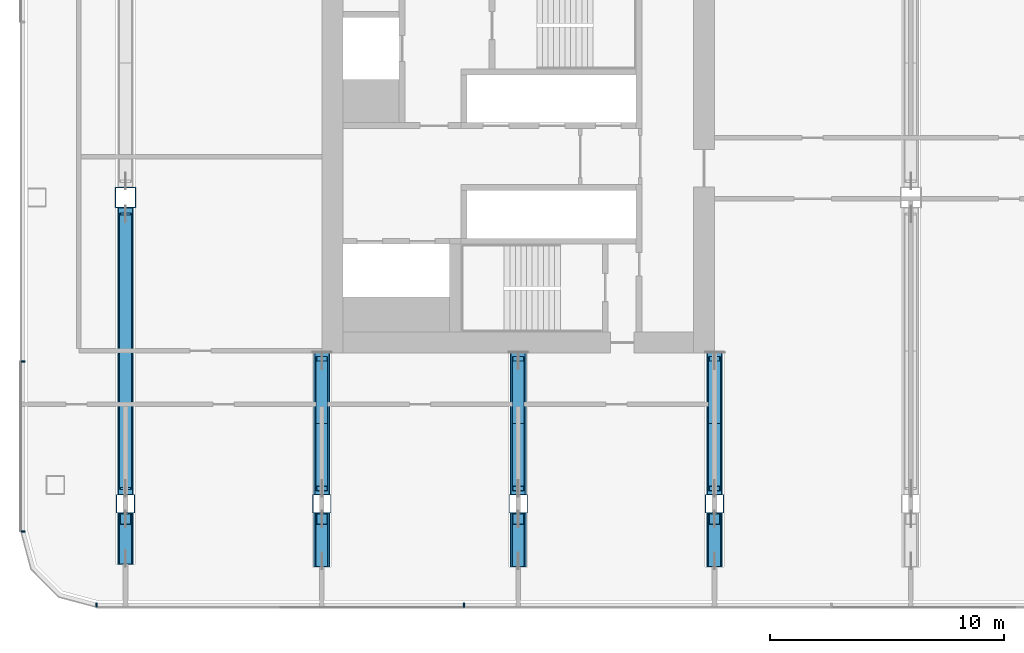
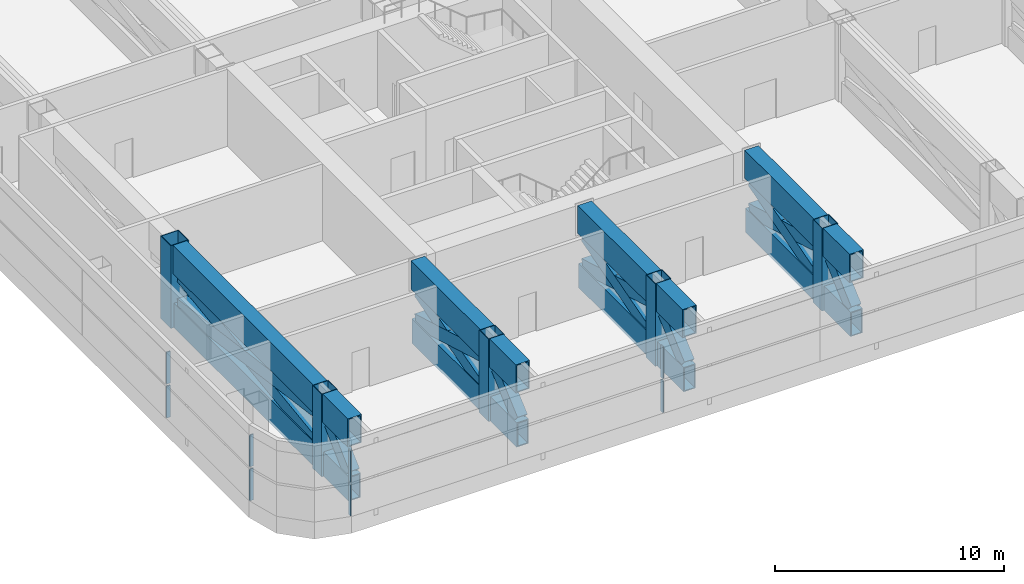
# One storey, part 2 of 31: 41 members, 2 elements without a shape of their own.
"""IFC4 building model written with IfcOpenShell, lengths in metres."""

from ifc_helpers import new_model, si_unit, direction, frame, origin, origin_2d, place, context, subcontext, project, spatial, rectangle, hollow_rectangle, extrude, material, layer, layer_set, material_profile, profile_set, type_object, element, aggregate, save


model = new_model("IFC4")

# Units and contexts
model_context = context("Model", 3, precision=1e-05, world=origin(), true_north=direction((0.0, 1.0)))
body_context = subcontext(model_context, "Body", "Model", "MODEL_VIEW")
ifc_project = project(units=[si_unit("LENGTHUNIT", "METRE"), si_unit("AREAUNIT", "SQUARE_METRE"), si_unit("VOLUMEUNIT", "CUBIC_METRE"), si_unit("PLANEANGLEUNIT", "RADIAN"), si_unit("MASSUNIT", "GRAM", prefix="KILO")], contexts=[model_context])

# Site, building, storey
site_placement = place(None, origin())
site = spatial("IfcSite", under=ifc_project, at=site_placement, CompositionType="ELEMENT")
building_placement = place(site_placement, origin())
building = spatial("IfcBuilding", under=site, at=building_placement, Name="Hakoniwa Tower and Hamabe Station Hall", CompositionType="ELEMENT")
storey_placement = place(building_placement, frame((0.0, 0.0, 120.199951171875)))
storey = spatial("IfcBuildingStorey", under=building, at=storey_placement, Name="L34", CompositionType="ELEMENT", Elevation=120.199951171875)

# Curtain wall, members
ifc_material_1 = material(Name="Dark low-e laminated glass", Category="glass")
ifc_layer = layer(ifc_material_1, 0.199951171875)
ifc_layer_set = layer_set([ifc_layer], Name="CW-6 PLANT LOUVRE")
curtain_wall_type = type_object("IfcCurtainWallType", Name="CW-6 PLANT LOUVRE", PredefinedType="NOTDEFINED", material=ifc_layer_set)
curtain_wall_1_placement = place(storey_placement, origin())
curtain_wall_1 = element("IfcCurtainWall", 1, at=curtain_wall_1_placement, inside=storey, type_object=curtain_wall_type, Name="CW-6 curtain wall", PredefinedType="NOTDEFINED")
ifc_material_2 = material(Name="Aluminium 6063-T5 black anodised", Category="aluminium")
ifc_material_profile_1 = material_profile(ifc_material_2, rectangle(XDim=0.06005859375, YDim=0.179931640625, at=origin_2d()), Name="CW-1 MULLION 60X180")
ifc_profile_set_1 = profile_set([ifc_material_profile_1], Name="Aluminium 6063-T5 black anodised")
member_type_1 = type_object("IfcMemberType", Name="CW-1 MULLION 60X180", PredefinedType="MULLION", material=ifc_profile_set_1)
member_1_placement = place(storey_placement, frame((-46.382080078125, -8.773681640625, 0.35009765625), z_axis=(0.0, 0.0, 1.0), x_axis=(0.0, -1.0, 0.0)))
member_1 = element("IfcMember", 2, at=member_1_placement, type_object=member_type_1, Name="CW-6 mullion", PredefinedType="MULLION", context=body_context, shape_type="SweptSolid", body=[
    extrude(rectangle(XDim=0.06005859375, YDim=0.179931640625, at=origin_2d()), origin(), (0.0, 0.0, 1.0), 1.68994140625),
])
member_2_placement = place(storey_placement, frame((-46.382080078125, -8.773681640625, 2.16015625), z_axis=(0.0, 0.0, 1.0), x_axis=(0.0, -1.0, 0.0)))
member_2 = element("IfcMember", 3, at=member_2_placement, type_object=member_type_1, Name="CW-6 mullion", PredefinedType="MULLION", context=body_context, shape_type="SweptSolid", body=[
    extrude(rectangle(XDim=0.06005859375, YDim=0.179931640625, at=origin_2d()), origin(), (0.0, 0.0, 1.0), 1.68994140625),
])
member_3_placement = place(storey_placement, frame((-46.382080078125, -16.03955078125, 0.35009765625), z_axis=(0.0, 0.0, 1.0), x_axis=(0.0, -1.0, 0.0)))
member_3 = element("IfcMember", 4, at=member_3_placement, type_object=member_type_1, Name="CW-6 mullion", PredefinedType="MULLION", context=body_context, shape_type="SweptSolid", body=[
    extrude(rectangle(XDim=0.06005859375, YDim=0.179931640625, at=origin_2d()), origin(), (0.0, 0.0, 1.0), 1.68994140625),
])
member_4_placement = place(storey_placement, frame((-46.382080078125, -16.03955078125, 2.16015625), z_axis=(0.0, 0.0, 1.0), x_axis=(0.0, -1.0, 0.0)))
member_4 = element("IfcMember", 5, at=member_4_placement, type_object=member_type_1, Name="CW-6 mullion", PredefinedType="MULLION", context=body_context, shape_type="SweptSolid", body=[
    extrude(rectangle(XDim=0.06005859375, YDim=0.179931640625, at=origin_2d()), origin(), (0.0, 0.0, 1.0), 1.68994140625),
])
aggregate(curtain_wall_1, [member_1, member_2, member_3, member_4])

curtain_wall_2_placement = place(storey_placement, origin())
curtain_wall_2 = element("IfcCurtainWall", 6, at=curtain_wall_2_placement, inside=storey, type_object=curtain_wall_type, Name="CW-6 curtain wall", PredefinedType="NOTDEFINED")
member_5_placement = place(storey_placement, frame((-43.239501953125, -19.181884765625, 0.35009765625), z_axis=(0.0, 0.0, 1.0), x_axis=(1.0, 0.0, 0.0)))
member_5 = element("IfcMember", 7, at=member_5_placement, type_object=member_type_1, Name="CW-6 mullion", PredefinedType="MULLION", context=body_context, shape_type="SweptSolid", body=[
    extrude(rectangle(XDim=0.06005859375, YDim=0.179931640625, at=origin_2d()), origin(), (0.0, 0.0, 1.0), 1.68994140625),
])
member_6_placement = place(storey_placement, frame((-43.239501953125, -19.181884765625, 2.16015625), z_axis=(0.0, 0.0, 1.0), x_axis=(1.0, 0.0, 0.0)))
member_6 = element("IfcMember", 8, at=member_6_placement, type_object=member_type_1, Name="CW-6 mullion", PredefinedType="MULLION", context=body_context, shape_type="SweptSolid", body=[
    extrude(rectangle(XDim=0.06005859375, YDim=0.179931640625, at=origin_2d()), origin(), (0.0, 0.0, 1.0), 1.68994140625),
])
member_7_placement = place(storey_placement, frame((-27.51611328125, -19.181884765625, 0.35009765625), z_axis=(0.0, 0.0, 1.0), x_axis=(1.0, 0.0, 0.0)))
member_7 = element("IfcMember", 9, at=member_7_placement, type_object=member_type_1, Name="CW-6 mullion", PredefinedType="MULLION", context=body_context, shape_type="SweptSolid", body=[
    extrude(rectangle(XDim=0.06005859375, YDim=0.179931640625, at=origin_2d()), origin(), (0.0, 0.0, 1.0), 1.68994140625),
])
member_8_placement = place(storey_placement, frame((-27.51611328125, -19.181884765625, 2.16015625), z_axis=(0.0, 0.0, 1.0), x_axis=(1.0, 0.0, 0.0)))
member_8 = element("IfcMember", 10, at=member_8_placement, type_object=member_type_1, Name="CW-6 mullion", PredefinedType="MULLION", context=body_context, shape_type="SweptSolid", body=[
    extrude(rectangle(XDim=0.06005859375, YDim=0.179931640625, at=origin_2d()), origin(), (0.0, 0.0, 1.0), 1.68994140625),
])
aggregate(curtain_wall_2, [member_5, member_6, member_7, member_8])

# Members
ifc_material_3 = material(Name="Steel SN490C", Category="steel")
ifc_material_profile_2 = material_profile(ifc_material_3, hollow_rectangle(XDim=0.60009765625, YDim=1.300048828125, WallThickness=0.050048828125, at=origin_2d()), Name="BX-1300x600x50")
ifc_profile_set_2 = profile_set([ifc_material_profile_2], Name="Steel SN490C")
member_type_2 = type_object("IfcMemberType", Name="TRUSS CHORD BX-1300x600x50", PredefinedType="CHORD", material=ifc_profile_set_2)
member_9_placement = place(storey_placement, frame((-42.0, -14.449951171875, 0.35009765625), z_axis=(0.0, 1.0, 0.0), x_axis=(-1.0, 0.0, 0.0)))
element("IfcMember", 11, at=member_9_placement, inside=storey, type_object=member_type_2, Name="Truss T2-03-BC01", PredefinedType="CHORD", context=body_context, shape_type="SweptSolid", body=[
    extrude(hollow_rectangle(XDim=0.60009765625, YDim=1.300048828125, WallThickness=0.050048828125, at=origin_2d()), origin(), (0.0, 0.0, 1.0), 12.25),
])
member_10_placement = place(storey_placement, frame((-42.0, -17.444091796875, 0.35009765625), z_axis=(0.0, 1.0, 0.0), x_axis=(-1.0, 0.0, 0.0)))
element("IfcMember", 12, at=member_10_placement, inside=storey, type_object=member_type_2, Name="Truss T2-03-BCL", PredefinedType="CHORD", context=body_context, shape_type="SweptSolid", body=[
    extrude(hollow_rectangle(XDim=0.60009765625, YDim=1.300048828125, WallThickness=0.050048828125, at=origin_2d()), origin(), (0.0, 0.0, 1.0), 2.194091796875),
])
member_11_placement = place(storey_placement, frame((-33.60009765625, -14.449951171875, 0.35009765625), z_axis=(0.0, 1.0, 0.0), x_axis=(-1.0, 0.0, 0.0)))
element("IfcMember", 13, at=member_11_placement, inside=storey, type_object=member_type_2, Name="Truss T2-05-BC01", PredefinedType="CHORD", context=body_context, shape_type="SweptSolid", body=[
    extrude(hollow_rectangle(XDim=0.60009765625, YDim=1.300048828125, WallThickness=0.050048828125, at=origin_2d()), origin(), (0.0, 0.0, 1.0), 6.050048828125),
])
member_12_placement = place(storey_placement, frame((-33.60009765625, -17.550048828125, 0.35009765625), z_axis=(0.0, 1.0, 0.0), x_axis=(-1.0, 0.0, 0.0)))
element("IfcMember", 14, at=member_12_placement, inside=storey, type_object=member_type_2, Name="Truss T2-05-BCL", PredefinedType="CHORD", context=body_context, shape_type="SweptSolid", body=[
    extrude(hollow_rectangle(XDim=0.60009765625, YDim=1.300048828125, WallThickness=0.050048828125, at=origin_2d()), origin(), (0.0, 0.0, 1.0), 2.300048828125),
])
member_13_placement = place(storey_placement, frame((-25.199951171875, -14.449951171875, 0.35009765625), z_axis=(0.0, 1.0, 0.0), x_axis=(-1.0, 0.0, 0.0)))
element("IfcMember", 15, at=member_13_placement, inside=storey, type_object=member_type_2, Name="Truss T2-07-BC01", PredefinedType="CHORD", context=body_context, shape_type="SweptSolid", body=[
    extrude(hollow_rectangle(XDim=0.60009765625, YDim=1.300048828125, WallThickness=0.050048828125, at=origin_2d()), origin(), (0.0, 0.0, 1.0), 6.050048828125),
])
member_14_placement = place(storey_placement, frame((-25.199951171875, -17.550048828125, 0.35009765625), z_axis=(0.0, 1.0, 0.0), x_axis=(-1.0, 0.0, 0.0)))
element("IfcMember", 16, at=member_14_placement, inside=storey, type_object=member_type_2, Name="Truss T2-07-BCL", PredefinedType="CHORD", context=body_context, shape_type="SweptSolid", body=[
    extrude(hollow_rectangle(XDim=0.60009765625, YDim=1.300048828125, WallThickness=0.050048828125, at=origin_2d()), origin(), (0.0, 0.0, 1.0), 2.300048828125),
])
member_15_placement = place(storey_placement, frame((-16.800048828125, -14.449951171875, 0.35009765625), z_axis=(0.0, 1.0, 0.0), x_axis=(-1.0, 0.0, 0.0)))
element("IfcMember", 17, at=member_15_placement, inside=storey, type_object=member_type_2, Name="Truss T2-09-BC01", PredefinedType="CHORD", context=body_context, shape_type="SweptSolid", body=[
    extrude(hollow_rectangle(XDim=0.60009765625, YDim=1.300048828125, WallThickness=0.050048828125, at=origin_2d()), origin(), (0.0, 0.0, 1.0), 6.050048828125),
])
member_16_placement = place(storey_placement, frame((-16.800048828125, -17.550048828125, 0.35009765625), z_axis=(0.0, 1.0, 0.0), x_axis=(-1.0, 0.0, 0.0)))
element("IfcMember", 18, at=member_16_placement, inside=storey, type_object=member_type_2, Name="Truss T2-09-BCL", PredefinedType="CHORD", context=body_context, shape_type="SweptSolid", body=[
    extrude(hollow_rectangle(XDim=0.60009765625, YDim=1.300048828125, WallThickness=0.050048828125, at=origin_2d()), origin(), (0.0, 0.0, 1.0), 2.300048828125),
])
ifc_material_4 = material(Name="Steel SN490C", Category="steel")
ifc_material_profile_3 = material_profile(ifc_material_4, hollow_rectangle(XDim=0.699951171875, YDim=1.5, WallThickness=0.054931640625, at=origin_2d()), Name="BX-1500x700x55")
ifc_profile_set_3 = profile_set([ifc_material_profile_3], Name="Steel SN490C")
member_type_3 = type_object("IfcMemberType", Name="TRUSS CHORD BX-1500x700x55", PredefinedType="CHORD", material=ifc_profile_set_3)
member_17_placement = place(storey_placement, frame((-42.0, -14.449951171875, 3.35009765625), z_axis=(0.0, 1.0, 0.0), x_axis=(-1.0, 0.0, 0.0)))
element("IfcMember", 19, at=member_17_placement, inside=storey, type_object=member_type_3, Name="Truss T2-03-TC01", PredefinedType="CHORD", context=body_context, shape_type="SweptSolid", body=[
    extrude(hollow_rectangle(XDim=0.699951171875, YDim=1.5, WallThickness=0.054931640625, at=origin_2d()), origin(), (0.0, 0.0, 1.0), 12.25),
])
member_18_placement = place(storey_placement, frame((-42.0, -17.444091796875, 3.35009765625), z_axis=(0.0, 1.0, 0.0), x_axis=(-1.0, 0.0, 0.0)))
element("IfcMember", 20, at=member_18_placement, inside=storey, type_object=member_type_3, Name="Truss T2-03-TCL", PredefinedType="CHORD", context=body_context, shape_type="SweptSolid", body=[
    extrude(hollow_rectangle(XDim=0.699951171875, YDim=1.5, WallThickness=0.054931640625, at=origin_2d()), origin(), (0.0, 0.0, 1.0), 2.194091796875),
])
member_19_placement = place(storey_placement, frame((-33.60009765625, -14.449951171875, 3.35009765625), z_axis=(0.0, 1.0, 0.0), x_axis=(-1.0, 0.0, 0.0)))
element("IfcMember", 21, at=member_19_placement, inside=storey, type_object=member_type_3, Name="Truss T2-05-TC01", PredefinedType="CHORD", context=body_context, shape_type="SweptSolid", body=[
    extrude(hollow_rectangle(XDim=0.699951171875, YDim=1.5, WallThickness=0.054931640625, at=origin_2d()), origin(), (0.0, 0.0, 1.0), 6.050048828125),
])
member_20_placement = place(storey_placement, frame((-33.60009765625, -17.550048828125, 3.35009765625), z_axis=(0.0, 1.0, 0.0), x_axis=(-1.0, 0.0, 0.0)))
element("IfcMember", 22, at=member_20_placement, inside=storey, type_object=member_type_3, Name="Truss T2-05-TCL", PredefinedType="CHORD", context=body_context, shape_type="SweptSolid", body=[
    extrude(hollow_rectangle(XDim=0.699951171875, YDim=1.5, WallThickness=0.054931640625, at=origin_2d()), origin(), (0.0, 0.0, 1.0), 2.300048828125),
])
member_21_placement = place(storey_placement, frame((-25.199951171875, -14.449951171875, 3.35009765625), z_axis=(0.0, 1.0, 0.0), x_axis=(-1.0, 0.0, 0.0)))
element("IfcMember", 23, at=member_21_placement, inside=storey, type_object=member_type_3, Name="Truss T2-07-TC01", PredefinedType="CHORD", context=body_context, shape_type="SweptSolid", body=[
    extrude(hollow_rectangle(XDim=0.699951171875, YDim=1.5, WallThickness=0.054931640625, at=origin_2d()), origin(), (0.0, 0.0, 1.0), 6.050048828125),
])
member_22_placement = place(storey_placement, frame((-25.199951171875, -17.550048828125, 3.35009765625), z_axis=(0.0, 1.0, 0.0), x_axis=(-1.0, 0.0, 0.0)))
element("IfcMember", 24, at=member_22_placement, inside=storey, type_object=member_type_3, Name="Truss T2-07-TCL", PredefinedType="CHORD", context=body_context, shape_type="SweptSolid", body=[
    extrude(hollow_rectangle(XDim=0.699951171875, YDim=1.5, WallThickness=0.054931640625, at=origin_2d()), origin(), (0.0, 0.0, 1.0), 2.300048828125),
])
member_23_placement = place(storey_placement, frame((-16.800048828125, -14.449951171875, 3.35009765625), z_axis=(0.0, 1.0, 0.0), x_axis=(-1.0, 0.0, 0.0)))
element("IfcMember", 25, at=member_23_placement, inside=storey, type_object=member_type_3, Name="Truss T2-09-TC01", PredefinedType="CHORD", context=body_context, shape_type="SweptSolid", body=[
    extrude(hollow_rectangle(XDim=0.699951171875, YDim=1.5, WallThickness=0.054931640625, at=origin_2d()), origin(), (0.0, 0.0, 1.0), 6.050048828125),
])
member_24_placement = place(storey_placement, frame((-16.800048828125, -17.550048828125, 3.35009765625), z_axis=(0.0, 1.0, 0.0), x_axis=(-1.0, 0.0, 0.0)))
element("IfcMember", 26, at=member_24_placement, inside=storey, type_object=member_type_3, Name="Truss T2-09-TCL", PredefinedType="CHORD", context=body_context, shape_type="SweptSolid", body=[
    extrude(hollow_rectangle(XDim=0.699951171875, YDim=1.5, WallThickness=0.054931640625, at=origin_2d()), origin(), (0.0, 0.0, 1.0), 2.300048828125),
])
ifc_material_5 = material(Name="Steel SN490C", Category="steel")
ifc_material_profile_4 = material_profile(ifc_material_5, hollow_rectangle(XDim=0.5, YDim=0.699951171875, WallThickness=0.031982421875, at=origin_2d()), Name="BX-700x500x32")
ifc_profile_set_4 = profile_set([ifc_material_profile_4], Name="Steel SN490C")
member_type_4 = type_object("IfcMemberType", Name="TRUSS DIAGONAL BX-700x500x32", PredefinedType="BRACE", material=ifc_profile_set_4)
for number, where, z_axis, x_axis, name in (
    (27, (-42.0, -14.199951171875, 1.0), (0.0, 0.99085470683, 0.134933131411), (-1.0, 0.0, 0.0), "Truss T2-03-D01a"),
    (28, (-42.0, -14.199951171875, 2.60009765625), (0.0, 0.99085470683, -0.134933131411), (-1.0, 0.0, 0.0), "Truss T2-03-D01b"),
):
    element("IfcMember", number, at=place(storey_placement, frame(where, z_axis=z_axis, x_axis=x_axis)), inside=storey, type_object=member_type_4, Name=name, PredefinedType="BRACE", context=body_context, shape_type="SweptSolid", body=[
        extrude(hollow_rectangle(XDim=0.5, YDim=0.699951171875, WallThickness=0.031982421875, at=origin_2d()), origin(), (0.0, 0.0, 1.0), 11.8583984375),
    ])
member_25_placement = place(storey_placement, frame((-42.0, -17.194091796875, 1.0), z_axis=(0.0, 0.726987002684, 0.686651220001), x_axis=(-1.0, 0.0, 0.0)))
element("IfcMember", 29, at=member_25_placement, inside=storey, type_object=member_type_4, Name="Truss T2-03-DLa", PredefinedType="BRACE", context=body_context, shape_type="SweptSolid", body=[
    extrude(hollow_rectangle(XDim=0.5, YDim=0.699951171875, WallThickness=0.031982421875, at=origin_2d()), origin(), (0.0, 0.0, 1.0), 2.330322265625),
])
for number, where, z_axis, x_axis, name in (
    (30, (-33.60009765625, -14.199951171875, 1.0), (0.0, 0.960864058901, 0.277020324728), (-1.0, 0.0, 0.0), "Truss T2-05-D01a"),
    (31, (-33.60009765625, -14.199951171875, 2.60009765625), (0.0, 0.960864058901, -0.277020324728), (-1.0, 0.0, 0.0), "Truss T2-05-D01b"),
):
    element("IfcMember", number, at=place(storey_placement, frame(where, z_axis=z_axis, x_axis=x_axis)), inside=storey, type_object=member_type_4, Name=name, PredefinedType="BRACE", context=body_context, shape_type="SweptSolid", body=[
        extrude(hollow_rectangle(XDim=0.5, YDim=0.699951171875, WallThickness=0.031982421875, at=origin_2d()), origin(), (0.0, 0.0, 1.0), 5.776123046875),
    ])
member_26_placement = place(storey_placement, frame((-33.60009765625, -17.300048828125, 1.0), z_axis=(0.0, 0.747398132966, 0.664376422549), x_axis=(-1.0, 0.0, 0.0)))
element("IfcMember", 32, at=member_26_placement, inside=storey, type_object=member_type_4, Name="Truss T2-05-DLa", PredefinedType="BRACE", context=body_context, shape_type="SweptSolid", body=[
    extrude(hollow_rectangle(XDim=0.5, YDim=0.699951171875, WallThickness=0.031982421875, at=origin_2d()), origin(), (0.0, 0.0, 1.0), 2.408447265625),
])
for number, where, z_axis, x_axis, name in (
    (33, (-25.199951171875, -14.199951171875, 1.0), (0.0, 0.960864058901, 0.277020324728), (-1.0, 0.0, 0.0), "Truss T2-07-D01a"),
    (34, (-25.199951171875, -14.199951171875, 2.60009765625), (0.0, 0.960864058901, -0.277020324728), (-1.0, 0.0, 0.0), "Truss T2-07-D01b"),
):
    element("IfcMember", number, at=place(storey_placement, frame(where, z_axis=z_axis, x_axis=x_axis)), inside=storey, type_object=member_type_4, Name=name, PredefinedType="BRACE", context=body_context, shape_type="SweptSolid", body=[
        extrude(hollow_rectangle(XDim=0.5, YDim=0.699951171875, WallThickness=0.031982421875, at=origin_2d()), origin(), (0.0, 0.0, 1.0), 5.776123046875),
    ])
member_27_placement = place(storey_placement, frame((-25.199951171875, -17.300048828125, 1.0), z_axis=(0.0, 0.747398132966, 0.664376422549), x_axis=(-1.0, 0.0, 0.0)))
element("IfcMember", 35, at=member_27_placement, inside=storey, type_object=member_type_4, Name="Truss T2-07-DLa", PredefinedType="BRACE", context=body_context, shape_type="SweptSolid", body=[
    extrude(hollow_rectangle(XDim=0.5, YDim=0.699951171875, WallThickness=0.031982421875, at=origin_2d()), origin(), (0.0, 0.0, 1.0), 2.408447265625),
])
for number, where, z_axis, x_axis, name in (
    (36, (-16.800048828125, -14.199951171875, 1.0), (0.0, 0.960864058901, 0.277020324728), (-1.0, 0.0, 0.0), "Truss T2-09-D01a"),
    (37, (-16.800048828125, -14.199951171875, 2.60009765625), (0.0, 0.960864058901, -0.277020324728), (-1.0, 0.0, 0.0), "Truss T2-09-D01b"),
):
    element("IfcMember", number, at=place(storey_placement, frame(where, z_axis=z_axis, x_axis=x_axis)), inside=storey, type_object=member_type_4, Name=name, PredefinedType="BRACE", context=body_context, shape_type="SweptSolid", body=[
        extrude(hollow_rectangle(XDim=0.5, YDim=0.699951171875, WallThickness=0.031982421875, at=origin_2d()), origin(), (0.0, 0.0, 1.0), 5.776123046875),
    ])
member_28_placement = place(storey_placement, frame((-16.800048828125, -17.300048828125, 1.0), z_axis=(0.0, 0.747398132966, 0.664376422549), x_axis=(-1.0, 0.0, 0.0)))
element("IfcMember", 38, at=member_28_placement, inside=storey, type_object=member_type_4, Name="Truss T2-09-DLa", PredefinedType="BRACE", context=body_context, shape_type="SweptSolid", body=[
    extrude(hollow_rectangle(XDim=0.5, YDim=0.699951171875, WallThickness=0.031982421875, at=origin_2d()), origin(), (0.0, 0.0, 1.0), 2.408447265625),
])
ifc_material_6 = material(Name="Steel SN490C", Category="steel")
ifc_material_profile_5 = material_profile(ifc_material_6, hollow_rectangle(XDim=0.800048828125, YDim=0.800048828125, WallThickness=0.031982421875, at=origin_2d()), Name="BX-800x800x32")
ifc_profile_set_5 = profile_set([ifc_material_profile_5], Name="Steel SN490C")
member_type_5 = type_object("IfcMemberType", Name="TRUSS POST BX-800x800x32", PredefinedType="POST", material=ifc_profile_set_5)
for number, where, z_axis, x_axis, name in (
    (39, (-42.0, -14.85009765625, -0.300048828125), (0.0, 0.0, 1.0), (1.0, 0.0, 0.0), "Truss T2-03-P01"),
    (40, (-33.60009765625, -14.85009765625, -0.300048828125), (0.0, 0.0, 1.0), (1.0, 0.0, 0.0), "Truss T2-05-P01"),
    (41, (-25.199951171875, -14.85009765625, -0.300048828125), (0.0, 0.0, 1.0), (1.0, 0.0, 0.0), "Truss T2-07-P01"),
    (42, (-16.800048828125, -14.85009765625, -0.300048828125), (0.0, 0.0, 1.0), (1.0, 0.0, 0.0), "Truss T2-09-P01"),
):
    element("IfcMember", number, at=place(storey_placement, frame(where, z_axis=z_axis, x_axis=x_axis)), inside=storey, type_object=member_type_5, Name=name, PredefinedType="POST", context=body_context, shape_type="SweptSolid", body=[
        extrude(hollow_rectangle(XDim=0.800048828125, YDim=0.800048828125, WallThickness=0.031982421875, at=origin_2d()), origin(), (0.0, 0.0, 1.0), 4.400146484375),
    ])
ifc_material_7 = material(Name="Steel SN490C", Category="steel")
ifc_material_profile_6 = material_profile(ifc_material_7, hollow_rectangle(XDim=0.89990234375, YDim=0.89990234375, WallThickness=0.035888671875, at=origin_2d()), Name="BX-900x900x36")
ifc_profile_set_6 = profile_set([ifc_material_profile_6], Name="Steel SN490C")
member_type_6 = type_object("IfcMemberType", Name="TRUSS POST BX-900x900x36", PredefinedType="POST", material=ifc_profile_set_6)
member_29_placement = place(storey_placement, frame((-42.0, -1.75, -0.300048828125), z_axis=(0.0, 0.0, 1.0), x_axis=(1.0, 0.0, 0.0)))
element("IfcMember", 43, at=member_29_placement, inside=storey, type_object=member_type_6, Name="Truss T2-03-P02", PredefinedType="POST", context=body_context, shape_type="SweptSolid", body=[
    extrude(hollow_rectangle(XDim=0.89990234375, YDim=0.89990234375, WallThickness=0.035888671875, at=origin_2d()), origin(), (0.0, 0.0, 1.0), 4.400146484375),
])

save(model, "model.ifc")
